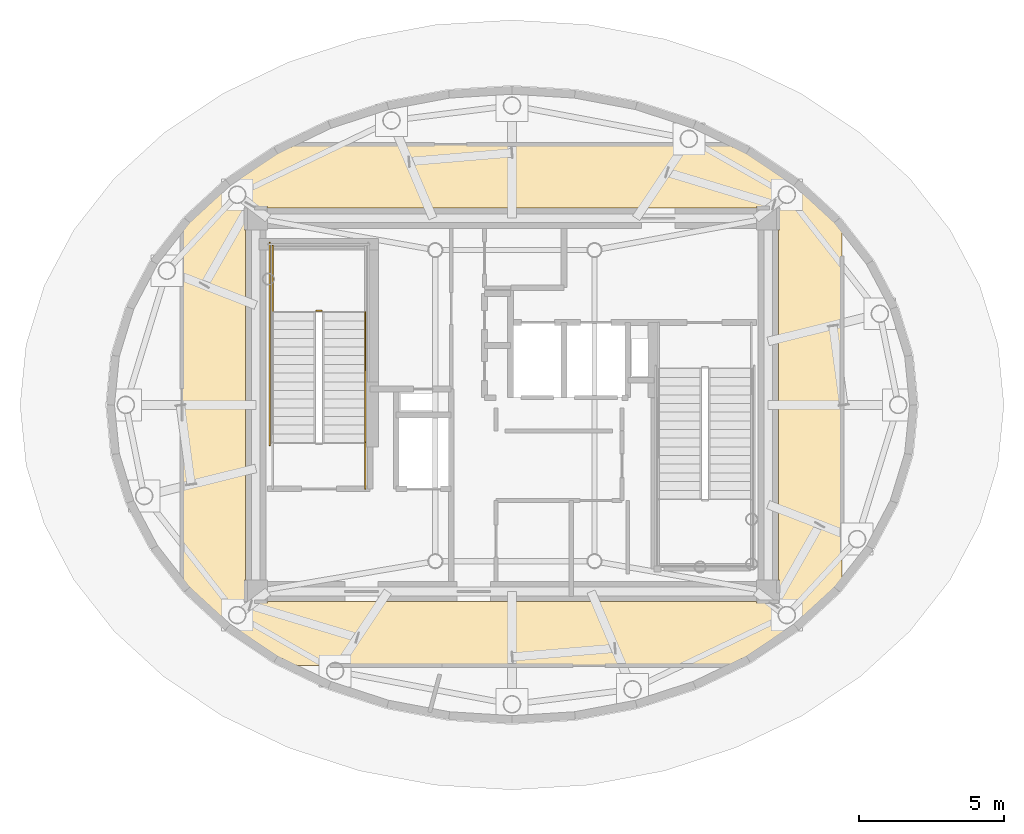
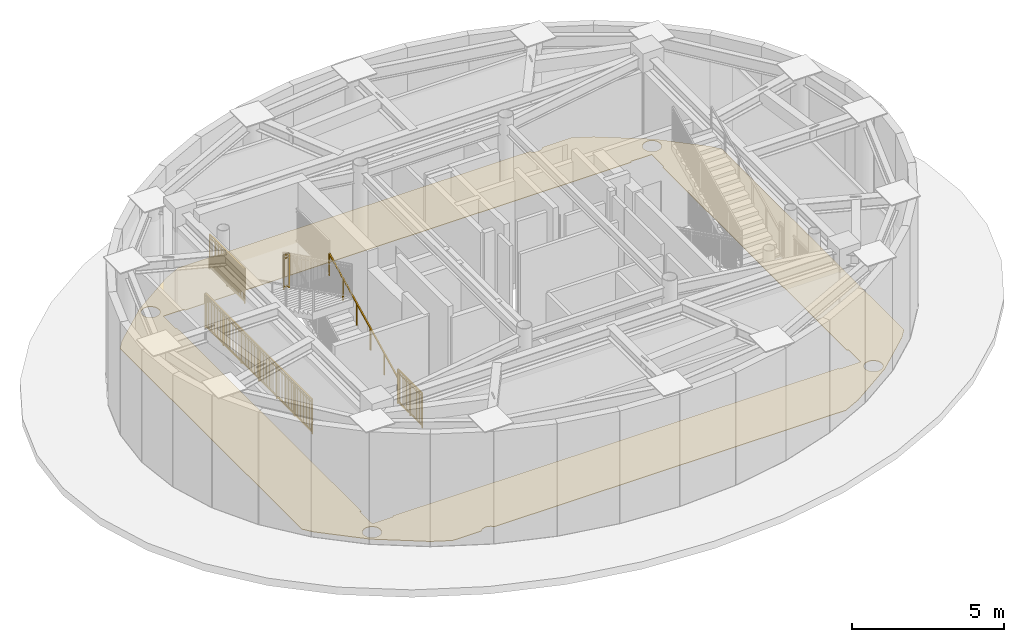
# One storey, part 7 of 12: 5 railings, 1 covering.
"""IFC4 building model written with IfcOpenShell, lengths in metres."""

from ifc_helpers import new_model, si_unit, direction, frame, origin, origin_2d, place, context, subcontext, project, spatial, polyline, rectangle, outline, extrude, source, transform, mapped, material, layer, layer_set, type_object, element, save


model = new_model("IFC4")

# Units and contexts
model_context = context("Model", 3, precision=1e-05, world=origin(), true_north=direction((0.0, 1.0)))
body_context = subcontext(model_context, "Body", "Model", "MODEL_VIEW")
ifc_project = project(units=[si_unit("LENGTHUNIT", "METRE"), si_unit("AREAUNIT", "SQUARE_METRE"), si_unit("VOLUMEUNIT", "CUBIC_METRE"), si_unit("PLANEANGLEUNIT", "RADIAN"), si_unit("MASSUNIT", "GRAM", prefix="KILO")], contexts=[model_context])

# Site, building, storey
site_placement = place(None, origin())
site = spatial("IfcSite", under=ifc_project, at=site_placement, CompositionType="ELEMENT")
building_placement = place(site_placement, origin())
building = spatial("IfcBuilding", under=site, at=building_placement, Name="Linh Dai School and Residence Tower", CompositionType="ELEMENT")
storey_placement = place(building_placement, frame((0.0, 0.0, 368.39990234375)))
storey = spatial("IfcBuildingStorey", under=building, at=storey_placement, Name="L91", CompositionType="ELEMENT", Elevation=368.39990234375)

# Covering
ifc_material_1 = material(Name="Polished Terrazzo Floor Finish", Category="masonry")
ifc_layer = layer(ifc_material_1, 0.02490234375)
ifc_layer_set = layer_set([ifc_layer], Name="Polished Terrazzo Floor Finish")
covering_type = type_object("IfcCoveringType", Name="COV-FLR-TRZ-25", PredefinedType="FLOORING", material=ifc_layer_set)
covering_placement = place(storey_placement, origin())
element("IfcCovering", 1, at=covering_placement, inside=storey, type_object=covering_type, Name="L91 Crown Plant Ring Corridor Floor Finish", PredefinedType="FLOORING", context=body_context, shape_type="SweptSolid", body=[
    extrude(outline(polyline([(27.89501953125, 18.31787109375), (26.2548828125, 19.41845703125), (24.857421875, 20.7041015625), (24.60009765625, 21.033935546875), (24.60009765625, 32.966064453125), (24.857421875, 33.2958984375), (26.2548828125, 34.58154296875), (27.89501953125, 35.68212890625), (28.555419921875, 36.0), (41.864501953125, 36.0), (41.88818359375, 35.96875), (41.953857421875, 35.91845703125), (42.030517578125, 35.88671875), (42.1123046875, 35.8759765625), (42.194580078125, 35.88671875), (42.27099609375, 35.91845703125), (42.336669921875, 35.96875), (42.360595703125, 36.0), (43.444580078125, 36.0), (44.10498046875, 35.68212890625), (45.7451171875, 34.58154296875), (47.142578125, 33.2958984375), (47.39990234375, 32.966064453125), (47.39990234375, 21.033935546875), (47.142578125, 20.7041015625), (45.7451171875, 19.41845703125), (44.10498046875, 18.31787109375), (43.444580078125, 18.0), (30.135498046875, 18.0), (30.11181640625, 18.03125), (30.046142578125, 18.08154296875), (29.969482421875, 18.11328125), (29.8876953125, 18.1240234375), (29.805419921875, 18.11328125), (29.72900390625, 18.08154296875), (29.663330078125, 18.03125), (29.639404296875, 18.0), (28.555419921875, 18.0), (27.89501953125, 18.31787109375)]), holes=[polyline([(45.6533203125, 33.988525390625), (45.718994140625, 34.0390625), (45.769287109375, 34.1044921875), (45.801025390625, 34.18115234375), (45.811767578125, 34.26318359375), (45.801025390625, 34.34521484375), (45.769287109375, 34.421630859375), (45.718994140625, 34.4873046875), (45.6533203125, 34.53759765625), (45.576904296875, 34.5693359375), (45.494873046875, 34.580078125), (45.412841796875, 34.5693359375), (45.336181640625, 34.53759765625), (45.270751953125, 34.4873046875), (45.22021484375, 34.421630859375), (45.188720703125, 34.34521484375), (45.177734375, 34.26318359375), (45.188720703125, 34.18115234375), (45.22021484375, 34.1044921875), (45.270751953125, 34.0390625), (45.336181640625, 33.988525390625), (45.412841796875, 33.956787109375), (45.494873046875, 33.946044921875), (45.576904296875, 33.956787109375), (45.6533203125, 33.988525390625)]), polyline([(45.718994140625, 19.5126953125), (45.769287109375, 19.578369140625), (45.801025390625, 19.65478515625), (45.811767578125, 19.73681640625), (45.801025390625, 19.81884765625), (45.769287109375, 19.8955078125), (45.718994140625, 19.9609375), (45.6533203125, 20.011474609375), (45.576904296875, 20.043212890625), (45.494873046875, 20.053955078125), (45.412841796875, 20.043212890625), (45.336181640625, 20.011474609375), (45.270751953125, 19.9609375), (45.22021484375, 19.8955078125), (45.188720703125, 19.81884765625), (45.177734375, 19.73681640625), (45.188720703125, 19.65478515625), (45.22021484375, 19.578369140625), (45.270751953125, 19.5126953125), (45.336181640625, 19.46240234375), (45.412841796875, 19.4306640625), (45.494873046875, 19.419921875), (45.576904296875, 19.4306640625), (45.6533203125, 19.46240234375), (45.718994140625, 19.5126953125)]), polyline([(26.800048828125, 20.949951171875), (26.75, 20.949951171875), (26.75, 20.14990234375), (27.550048828125, 20.14990234375), (27.550048828125, 20.199951171875), (44.449951171875, 20.199951171875), (44.449951171875, 20.14990234375), (45.25, 20.14990234375), (45.25, 20.949951171875), (45.199951171875, 20.949951171875), (45.199951171875, 33.050048828125), (45.25, 33.050048828125), (45.25, 33.85009765625), (44.449951171875, 33.85009765625), (44.449951171875, 33.800048828125), (27.550048828125, 33.800048828125), (27.550048828125, 33.85009765625), (26.75, 33.85009765625), (26.75, 33.050048828125), (26.800048828125, 33.050048828125), (26.800048828125, 20.949951171875)]), polyline([(26.663818359375, 33.988525390625), (26.729248046875, 34.0390625), (26.77978515625, 34.1044921875), (26.811279296875, 34.18115234375), (26.822265625, 34.26318359375), (26.811279296875, 34.34521484375), (26.77978515625, 34.421630859375), (26.729248046875, 34.4873046875), (26.663818359375, 34.53759765625), (26.587158203125, 34.5693359375), (26.505126953125, 34.580078125), (26.423095703125, 34.5693359375), (26.3466796875, 34.53759765625), (26.281005859375, 34.4873046875), (26.230712890625, 34.421630859375), (26.198974609375, 34.34521484375), (26.188232421875, 34.26318359375), (26.198974609375, 34.18115234375), (26.230712890625, 34.1044921875), (26.281005859375, 34.0390625), (26.3466796875, 33.988525390625), (26.423095703125, 33.956787109375), (26.505126953125, 33.946044921875), (26.587158203125, 33.956787109375), (26.663818359375, 33.988525390625)]), polyline([(26.729248046875, 19.5126953125), (26.77978515625, 19.578369140625), (26.811279296875, 19.65478515625), (26.822265625, 19.73681640625), (26.811279296875, 19.81884765625), (26.77978515625, 19.8955078125), (26.729248046875, 19.9609375), (26.663818359375, 20.011474609375), (26.587158203125, 20.043212890625), (26.505126953125, 20.053955078125), (26.423095703125, 20.043212890625), (26.3466796875, 20.011474609375), (26.281005859375, 19.9609375), (26.230712890625, 19.8955078125), (26.198974609375, 19.81884765625), (26.188232421875, 19.73681640625), (26.198974609375, 19.65478515625), (26.230712890625, 19.578369140625), (26.281005859375, 19.5126953125), (26.3466796875, 19.46240234375), (26.423095703125, 19.4306640625), (26.505126953125, 19.419921875), (26.587158203125, 19.4306640625), (26.663818359375, 19.46240234375), (26.729248046875, 19.5126953125)])]), origin(), (0.0, 0.0, 1.0), 0.02001953125),
])

# Railings
ifc_material_2 = material(Name="Structural Steel S355JR", Category="steel")
railing_type_1 = type_object("IfcRailingType", Name="RL-ST-GUARD-1400", PredefinedType="GUARDRAIL", material=ifc_material_2)
shared_shape_1 = source(origin(), body_context, "Body", "SweptSolid", [
    extrude(rectangle(XDim=0.048095703125, YDim=0.048095703125, at=origin_2d()), frame((0.0, 0.0, 1.3759765625), z_axis=(-1.0, 0.0, 0.0), x_axis=(0.0, -1.0, 0.0)), (0.0, 0.0, 1.0), 0.199951171875),
    extrude(rectangle(XDim=0.048095703125, YDim=0.048095703125, at=origin_2d()), frame((0.0, 0.0, 0.10009765625), z_axis=(-1.0, 0.0, 0.0), x_axis=(0.0, -1.0, 0.0)), (0.0, 0.0, 1.0), 0.199951171875),
    extrude(rectangle(XDim=0.030029296875, YDim=0.030029296875, at=origin_2d()), frame((0.0, 0.0, 1.239990234375), z_axis=(-1.0, 0.0, 0.0), x_axis=(0.0, -1.0, 0.0)), (0.0, 0.0, 1.0), 0.199951171875),
    extrude(rectangle(XDim=0.0419921875, YDim=0.0419921875, at=origin_2d()), origin(), (0.0, 0.0, 1.0), 1.3759765625),
    extrude(rectangle(XDim=0.0419921875, YDim=0.0419921875, at=origin_2d()), frame((-0.199951171875, 0.0, 0.0)), (0.0, 0.0, 1.0), 1.3759765625),
])
railing_1_placement = place(storey_placement, frame((29.429931640625, 30.25, 2.400146484375)))
element("IfcRailing", 2, at=railing_1_placement, inside=storey, type_object=railing_type_1, Name="L91 ST1 stair guard 2", PredefinedType="GUARDRAIL", context=body_context, shape_type="MappedRepresentation", body=[
    mapped(shared_shape_1, transform((0.0, 0.0, 0.0), x_axis=(1.0, 0.0, 0.0), y_axis=(0.0, 1.0, 0.0), z_axis=(0.0, 0.0, 1.0), scale=1.0)),
])
shared_shape_2 = source(origin(), body_context, "Body", "SweptSolid", [
    extrude(rectangle(XDim=0.048095703125, YDim=0.048095703125, at=origin_2d()), frame((0.0, 0.0, 1.3759765625), z_axis=(0.0, 1.0, 0.0), x_axis=(-1.0, 0.0, 0.0)), (0.0, 0.0, 1.0), 1.599853515625),
    extrude(rectangle(XDim=0.048095703125, YDim=0.048095703125, at=origin_2d()), frame((0.0, 0.0, 0.10009765625), z_axis=(0.0, 1.0, 0.0), x_axis=(-1.0, 0.0, 0.0)), (0.0, 0.0, 1.0), 1.599853515625),
    extrude(rectangle(XDim=0.030029296875, YDim=0.030029296875, at=origin_2d()), frame((0.0, 0.0, 1.239990234375), z_axis=(0.0, 1.0, 0.0), x_axis=(-1.0, 0.0, 0.0)), (0.0, 0.0, 1.0), 1.599853515625),
    extrude(rectangle(XDim=0.02001953125, YDim=0.02001953125, at=origin_2d()), frame((0.0, 0.093994140625, 0.10009765625)), (0.0, 0.0, 1.0), 1.251708984375),
    extrude(rectangle(XDim=0.02001953125, YDim=0.02001953125, at=origin_2d()), frame((0.0, 0.188232421875, 0.10009765625)), (0.0, 0.0, 1.0), 1.251708984375),
    extrude(rectangle(XDim=0.02001953125, YDim=0.02001953125, at=origin_2d()), frame((0.0, 0.2822265625, 0.10009765625)), (0.0, 0.0, 1.0), 1.251708984375),
    extrude(rectangle(XDim=0.02001953125, YDim=0.02001953125, at=origin_2d()), frame((0.0, 0.37646484375, 0.10009765625)), (0.0, 0.0, 1.0), 1.251708984375),
    extrude(rectangle(XDim=0.02001953125, YDim=0.02001953125, at=origin_2d()), frame((0.0, 0.470458984375, 0.10009765625)), (0.0, 0.0, 1.0), 1.251708984375),
    extrude(rectangle(XDim=0.02001953125, YDim=0.02001953125, at=origin_2d()), frame((0.0, 0.564697265625, 0.10009765625)), (0.0, 0.0, 1.0), 1.251708984375),
    extrude(rectangle(XDim=0.02001953125, YDim=0.02001953125, at=origin_2d()), frame((0.0, 0.65869140625, 0.10009765625)), (0.0, 0.0, 1.0), 1.251708984375),
    extrude(rectangle(XDim=0.02001953125, YDim=0.02001953125, at=origin_2d()), frame((0.0, 0.7529296875, 0.10009765625)), (0.0, 0.0, 1.0), 1.251708984375),
    extrude(rectangle(XDim=0.02001953125, YDim=0.02001953125, at=origin_2d()), frame((0.0, 0.846923828125, 0.10009765625)), (0.0, 0.0, 1.0), 1.251708984375),
    extrude(rectangle(XDim=0.02001953125, YDim=0.02001953125, at=origin_2d()), frame((0.0, 0.941162109375, 0.10009765625)), (0.0, 0.0, 1.0), 1.251708984375),
    extrude(rectangle(XDim=0.02001953125, YDim=0.02001953125, at=origin_2d()), frame((0.0, 1.03515625, 0.10009765625)), (0.0, 0.0, 1.0), 1.251708984375),
    extrude(rectangle(XDim=0.02001953125, YDim=0.02001953125, at=origin_2d()), frame((0.0, 1.12939453125, 0.10009765625)), (0.0, 0.0, 1.0), 1.251708984375),
    extrude(rectangle(XDim=0.02001953125, YDim=0.02001953125, at=origin_2d()), frame((0.0, 1.223388671875, 0.10009765625)), (0.0, 0.0, 1.0), 1.251708984375),
    extrude(rectangle(XDim=0.02001953125, YDim=0.02001953125, at=origin_2d()), frame((0.0, 1.317626953125, 0.10009765625)), (0.0, 0.0, 1.0), 1.251708984375),
    extrude(rectangle(XDim=0.02001953125, YDim=0.02001953125, at=origin_2d()), frame((0.0, 1.41162109375, 0.10009765625)), (0.0, 0.0, 1.0), 1.251708984375),
    extrude(rectangle(XDim=0.02001953125, YDim=0.02001953125, at=origin_2d()), frame((0.0, 1.505859375, 0.10009765625)), (0.0, 0.0, 1.0), 1.251708984375),
    extrude(rectangle(XDim=0.0419921875, YDim=0.0419921875, at=origin_2d()), origin(), (0.0, 0.0, 1.0), 1.3759765625),
    extrude(rectangle(XDim=0.0419921875, YDim=0.0419921875, at=origin_2d()), frame((0.0, 0.7998046875, 0.0)), (0.0, 0.0, 1.0), 1.3759765625),
    extrude(rectangle(XDim=0.0419921875, YDim=0.0419921875, at=origin_2d()), frame((0.0, 1.599853515625, 0.0)), (0.0, 0.0, 1.0), 1.3759765625),
])
railing_2_placement = place(storey_placement, frame((30.929931640625, 24.10009765625, 0.0)))
element("IfcRailing", 3, at=railing_2_placement, inside=storey, type_object=railing_type_1, Name="L91 ST1 stair guard 8", PredefinedType="GUARDRAIL", context=body_context, shape_type="MappedRepresentation", body=[
    mapped(shared_shape_2, transform((0.0, 0.0, 0.0), x_axis=(1.0, 0.0, 0.0), y_axis=(0.0, 1.0, 0.0), z_axis=(0.0, 0.0, 1.0), scale=1.0)),
])
shared_shape_3 = source(origin(), body_context, "Body", "SweptSolid", [
    extrude(rectangle(XDim=0.048095703125, YDim=0.048095703125, at=origin_2d()), frame((0.0, 0.0, 1.3759765625), z_axis=(0.0, 1.0, 0.0), x_axis=(-1.0, 0.0, 0.0)), (0.0, 0.0, 1.0), 7.0),
    extrude(rectangle(XDim=0.048095703125, YDim=0.048095703125, at=origin_2d()), frame((0.0, 0.0, 0.10009765625), z_axis=(0.0, 1.0, 0.0), x_axis=(-1.0, 0.0, 0.0)), (0.0, 0.0, 1.0), 7.0),
    extrude(rectangle(XDim=0.030029296875, YDim=0.030029296875, at=origin_2d()), frame((0.0, 0.0, 1.239990234375), z_axis=(0.0, 1.0, 0.0), x_axis=(-1.0, 0.0, 0.0)), (0.0, 0.0, 1.0), 7.0),
    extrude(rectangle(XDim=0.02001953125, YDim=0.02001953125, at=origin_2d()), frame((0.0, 0.09716796875, 0.10009765625)), (0.0, 0.0, 1.0), 1.251708984375),
    extrude(rectangle(XDim=0.02001953125, YDim=0.02001953125, at=origin_2d()), frame((0.0, 0.1943359375, 0.10009765625)), (0.0, 0.0, 1.0), 1.251708984375),
    extrude(rectangle(XDim=0.02001953125, YDim=0.02001953125, at=origin_2d()), frame((0.0, 0.291748046875, 0.10009765625)), (0.0, 0.0, 1.0), 1.251708984375),
    extrude(rectangle(XDim=0.02001953125, YDim=0.02001953125, at=origin_2d()), frame((0.0, 0.388916015625, 0.10009765625)), (0.0, 0.0, 1.0), 1.251708984375),
    extrude(rectangle(XDim=0.02001953125, YDim=0.02001953125, at=origin_2d()), frame((0.0, 0.486083984375, 0.10009765625)), (0.0, 0.0, 1.0), 1.251708984375),
    extrude(rectangle(XDim=0.02001953125, YDim=0.02001953125, at=origin_2d()), frame((0.0, 0.583251953125, 0.10009765625)), (0.0, 0.0, 1.0), 1.251708984375),
    extrude(rectangle(XDim=0.02001953125, YDim=0.02001953125, at=origin_2d()), frame((0.0, 0.6806640625, 0.10009765625)), (0.0, 0.0, 1.0), 1.251708984375),
    extrude(rectangle(XDim=0.02001953125, YDim=0.02001953125, at=origin_2d()), frame((0.0, 0.77783203125, 0.10009765625)), (0.0, 0.0, 1.0), 1.251708984375),
    extrude(rectangle(XDim=0.02001953125, YDim=0.02001953125, at=origin_2d()), frame((0.0, 0.875, 0.10009765625)), (0.0, 0.0, 1.0), 1.251708984375),
    extrude(rectangle(XDim=0.02001953125, YDim=0.02001953125, at=origin_2d()), frame((0.0, 0.97216796875, 0.10009765625)), (0.0, 0.0, 1.0), 1.251708984375),
    extrude(rectangle(XDim=0.02001953125, YDim=0.02001953125, at=origin_2d()), frame((0.0, 1.0693359375, 0.10009765625)), (0.0, 0.0, 1.0), 1.251708984375),
    extrude(rectangle(XDim=0.02001953125, YDim=0.02001953125, at=origin_2d()), frame((0.0, 1.263916015625, 0.10009765625)), (0.0, 0.0, 1.0), 1.251708984375),
    extrude(rectangle(XDim=0.02001953125, YDim=0.02001953125, at=origin_2d()), frame((0.0, 1.361083984375, 0.10009765625)), (0.0, 0.0, 1.0), 1.251708984375),
    extrude(rectangle(XDim=0.02001953125, YDim=0.02001953125, at=origin_2d()), frame((0.0, 1.458251953125, 0.10009765625)), (0.0, 0.0, 1.0), 1.251708984375),
    extrude(rectangle(XDim=0.02001953125, YDim=0.02001953125, at=origin_2d()), frame((0.0, 1.5556640625, 0.10009765625)), (0.0, 0.0, 1.0), 1.251708984375),
    extrude(rectangle(XDim=0.02001953125, YDim=0.02001953125, at=origin_2d()), frame((0.0, 1.65283203125, 0.10009765625)), (0.0, 0.0, 1.0), 1.251708984375),
    extrude(rectangle(XDim=0.02001953125, YDim=0.02001953125, at=origin_2d()), frame((0.0, 1.75, 0.10009765625)), (0.0, 0.0, 1.0), 1.251708984375),
    extrude(rectangle(XDim=0.02001953125, YDim=0.02001953125, at=origin_2d()), frame((0.0, 1.84716796875, 0.10009765625)), (0.0, 0.0, 1.0), 1.251708984375),
    extrude(rectangle(XDim=0.02001953125, YDim=0.02001953125, at=origin_2d()), frame((0.0, 1.9443359375, 0.10009765625)), (0.0, 0.0, 1.0), 1.251708984375),
    extrude(rectangle(XDim=0.02001953125, YDim=0.02001953125, at=origin_2d()), frame((0.0, 2.041748046875, 0.10009765625)), (0.0, 0.0, 1.0), 1.251708984375),
    extrude(rectangle(XDim=0.02001953125, YDim=0.02001953125, at=origin_2d()), frame((0.0, 2.138916015625, 0.10009765625)), (0.0, 0.0, 1.0), 1.251708984375),
    extrude(rectangle(XDim=0.02001953125, YDim=0.02001953125, at=origin_2d()), frame((0.0, 2.236083984375, 0.10009765625)), (0.0, 0.0, 1.0), 1.251708984375),
    extrude(rectangle(XDim=0.02001953125, YDim=0.02001953125, at=origin_2d()), frame((0.0, 2.4306640625, 0.10009765625)), (0.0, 0.0, 1.0), 1.251708984375),
    extrude(rectangle(XDim=0.02001953125, YDim=0.02001953125, at=origin_2d()), frame((0.0, 2.52783203125, 0.10009765625)), (0.0, 0.0, 1.0), 1.251708984375),
    extrude(rectangle(XDim=0.02001953125, YDim=0.02001953125, at=origin_2d()), frame((0.0, 2.625, 0.10009765625)), (0.0, 0.0, 1.0), 1.251708984375),
    extrude(rectangle(XDim=0.02001953125, YDim=0.02001953125, at=origin_2d()), frame((0.0, 2.72216796875, 0.10009765625)), (0.0, 0.0, 1.0), 1.251708984375),
    extrude(rectangle(XDim=0.02001953125, YDim=0.02001953125, at=origin_2d()), frame((0.0, 2.8193359375, 0.10009765625)), (0.0, 0.0, 1.0), 1.251708984375),
    extrude(rectangle(XDim=0.02001953125, YDim=0.02001953125, at=origin_2d()), frame((0.0, 2.916748046875, 0.10009765625)), (0.0, 0.0, 1.0), 1.251708984375),
    extrude(rectangle(XDim=0.02001953125, YDim=0.02001953125, at=origin_2d()), frame((0.0, 3.013916015625, 0.10009765625)), (0.0, 0.0, 1.0), 1.251708984375),
    extrude(rectangle(XDim=0.02001953125, YDim=0.02001953125, at=origin_2d()), frame((0.0, 3.111083984375, 0.10009765625)), (0.0, 0.0, 1.0), 1.251708984375),
    extrude(rectangle(XDim=0.02001953125, YDim=0.02001953125, at=origin_2d()), frame((0.0, 3.208251953125, 0.10009765625)), (0.0, 0.0, 1.0), 1.251708984375),
    extrude(rectangle(XDim=0.02001953125, YDim=0.02001953125, at=origin_2d()), frame((0.0, 3.3056640625, 0.10009765625)), (0.0, 0.0, 1.0), 1.251708984375),
    extrude(rectangle(XDim=0.02001953125, YDim=0.02001953125, at=origin_2d()), frame((0.0, 3.40283203125, 0.10009765625)), (0.0, 0.0, 1.0), 1.251708984375),
    extrude(rectangle(XDim=0.02001953125, YDim=0.02001953125, at=origin_2d()), frame((0.0, 3.59716796875, 0.10009765625)), (0.0, 0.0, 1.0), 1.251708984375),
    extrude(rectangle(XDim=0.02001953125, YDim=0.02001953125, at=origin_2d()), frame((0.0, 3.6943359375, 0.10009765625)), (0.0, 0.0, 1.0), 1.251708984375),
    extrude(rectangle(XDim=0.02001953125, YDim=0.02001953125, at=origin_2d()), frame((0.0, 3.791748046875, 0.10009765625)), (0.0, 0.0, 1.0), 1.251708984375),
    extrude(rectangle(XDim=0.02001953125, YDim=0.02001953125, at=origin_2d()), frame((0.0, 3.888916015625, 0.10009765625)), (0.0, 0.0, 1.0), 1.251708984375),
    extrude(rectangle(XDim=0.02001953125, YDim=0.02001953125, at=origin_2d()), frame((0.0, 3.986083984375, 0.10009765625)), (0.0, 0.0, 1.0), 1.251708984375),
    extrude(rectangle(XDim=0.02001953125, YDim=0.02001953125, at=origin_2d()), frame((0.0, 4.083251953125, 0.10009765625)), (0.0, 0.0, 1.0), 1.251708984375),
    extrude(rectangle(XDim=0.02001953125, YDim=0.02001953125, at=origin_2d()), frame((0.0, 4.1806640625, 0.10009765625)), (0.0, 0.0, 1.0), 1.251708984375),
    extrude(rectangle(XDim=0.02001953125, YDim=0.02001953125, at=origin_2d()), frame((0.0, 4.27783203125, 0.10009765625)), (0.0, 0.0, 1.0), 1.251708984375),
    extrude(rectangle(XDim=0.02001953125, YDim=0.02001953125, at=origin_2d()), frame((0.0, 4.375, 0.10009765625)), (0.0, 0.0, 1.0), 1.251708984375),
    extrude(rectangle(XDim=0.02001953125, YDim=0.02001953125, at=origin_2d()), frame((0.0, 4.47216796875, 0.10009765625)), (0.0, 0.0, 1.0), 1.251708984375),
    extrude(rectangle(XDim=0.02001953125, YDim=0.02001953125, at=origin_2d()), frame((0.0, 4.5693359375, 0.10009765625)), (0.0, 0.0, 1.0), 1.251708984375),
    extrude(rectangle(XDim=0.02001953125, YDim=0.02001953125, at=origin_2d()), frame((0.0, 4.763916015625, 0.10009765625)), (0.0, 0.0, 1.0), 1.251708984375),
    extrude(rectangle(XDim=0.02001953125, YDim=0.02001953125, at=origin_2d()), frame((0.0, 4.861083984375, 0.10009765625)), (0.0, 0.0, 1.0), 1.251708984375),
    extrude(rectangle(XDim=0.02001953125, YDim=0.02001953125, at=origin_2d()), frame((0.0, 4.958251953125, 0.10009765625)), (0.0, 0.0, 1.0), 1.251708984375),
    extrude(rectangle(XDim=0.02001953125, YDim=0.02001953125, at=origin_2d()), frame((0.0, 5.0556640625, 0.10009765625)), (0.0, 0.0, 1.0), 1.251708984375),
    extrude(rectangle(XDim=0.02001953125, YDim=0.02001953125, at=origin_2d()), frame((0.0, 5.15283203125, 0.10009765625)), (0.0, 0.0, 1.0), 1.251708984375),
    extrude(rectangle(XDim=0.02001953125, YDim=0.02001953125, at=origin_2d()), frame((0.0, 5.25, 0.10009765625)), (0.0, 0.0, 1.0), 1.251708984375),
    extrude(rectangle(XDim=0.02001953125, YDim=0.02001953125, at=origin_2d()), frame((0.0, 5.34716796875, 0.10009765625)), (0.0, 0.0, 1.0), 1.251708984375),
    extrude(rectangle(XDim=0.02001953125, YDim=0.02001953125, at=origin_2d()), frame((0.0, 5.4443359375, 0.10009765625)), (0.0, 0.0, 1.0), 1.251708984375),
    extrude(rectangle(XDim=0.02001953125, YDim=0.02001953125, at=origin_2d()), frame((0.0, 5.541748046875, 0.10009765625)), (0.0, 0.0, 1.0), 1.251708984375),
    extrude(rectangle(XDim=0.02001953125, YDim=0.02001953125, at=origin_2d()), frame((0.0, 5.638916015625, 0.10009765625)), (0.0, 0.0, 1.0), 1.251708984375),
    extrude(rectangle(XDim=0.02001953125, YDim=0.02001953125, at=origin_2d()), frame((0.0, 5.736083984375, 0.10009765625)), (0.0, 0.0, 1.0), 1.251708984375),
    extrude(rectangle(XDim=0.02001953125, YDim=0.02001953125, at=origin_2d()), frame((0.0, 5.9306640625, 0.10009765625)), (0.0, 0.0, 1.0), 1.251708984375),
    extrude(rectangle(XDim=0.02001953125, YDim=0.02001953125, at=origin_2d()), frame((0.0, 6.02783203125, 0.10009765625)), (0.0, 0.0, 1.0), 1.251708984375),
    extrude(rectangle(XDim=0.02001953125, YDim=0.02001953125, at=origin_2d()), frame((0.0, 6.125, 0.10009765625)), (0.0, 0.0, 1.0), 1.251708984375),
    extrude(rectangle(XDim=0.02001953125, YDim=0.02001953125, at=origin_2d()), frame((0.0, 6.22216796875, 0.10009765625)), (0.0, 0.0, 1.0), 1.251708984375),
    extrude(rectangle(XDim=0.02001953125, YDim=0.02001953125, at=origin_2d()), frame((0.0, 6.3193359375, 0.10009765625)), (0.0, 0.0, 1.0), 1.251708984375),
    extrude(rectangle(XDim=0.02001953125, YDim=0.02001953125, at=origin_2d()), frame((0.0, 6.416748046875, 0.10009765625)), (0.0, 0.0, 1.0), 1.251708984375),
    extrude(rectangle(XDim=0.02001953125, YDim=0.02001953125, at=origin_2d()), frame((0.0, 6.513916015625, 0.10009765625)), (0.0, 0.0, 1.0), 1.251708984375),
    extrude(rectangle(XDim=0.02001953125, YDim=0.02001953125, at=origin_2d()), frame((0.0, 6.611083984375, 0.10009765625)), (0.0, 0.0, 1.0), 1.251708984375),
    extrude(rectangle(XDim=0.02001953125, YDim=0.02001953125, at=origin_2d()), frame((0.0, 6.708251953125, 0.10009765625)), (0.0, 0.0, 1.0), 1.251708984375),
    extrude(rectangle(XDim=0.02001953125, YDim=0.02001953125, at=origin_2d()), frame((0.0, 6.8056640625, 0.10009765625)), (0.0, 0.0, 1.0), 1.251708984375),
    extrude(rectangle(XDim=0.02001953125, YDim=0.02001953125, at=origin_2d()), frame((0.0, 6.90283203125, 0.10009765625)), (0.0, 0.0, 1.0), 1.251708984375),
    extrude(rectangle(XDim=0.0419921875, YDim=0.0419921875, at=origin_2d()), origin(), (0.0, 0.0, 1.0), 1.3759765625),
    extrude(rectangle(XDim=0.0419921875, YDim=0.0419921875, at=origin_2d()), frame((0.0, 1.166748046875, 0.0)), (0.0, 0.0, 1.0), 1.3759765625),
    extrude(rectangle(XDim=0.0419921875, YDim=0.0419921875, at=origin_2d()), frame((0.0, 2.333251953125, 0.0)), (0.0, 0.0, 1.0), 1.3759765625),
    extrude(rectangle(XDim=0.0419921875, YDim=0.0419921875, at=origin_2d()), frame((0.0, 3.5, 0.0)), (0.0, 0.0, 1.0), 1.3759765625),
    extrude(rectangle(XDim=0.0419921875, YDim=0.0419921875, at=origin_2d()), frame((0.0, 4.666748046875, 0.0)), (0.0, 0.0, 1.0), 1.3759765625),
    extrude(rectangle(XDim=0.0419921875, YDim=0.0419921875, at=origin_2d()), frame((0.0, 5.833251953125, 0.0)), (0.0, 0.0, 1.0), 1.3759765625),
    extrude(rectangle(XDim=0.0419921875, YDim=0.0419921875, at=origin_2d()), frame((0.0, 7.0, 0.0)), (0.0, 0.0, 1.0), 1.3759765625),
])
railing_3_placement = place(storey_placement, frame((27.6298828125, 25.60009765625, 0.0)))
element("IfcRailing", 4, at=railing_3_placement, inside=storey, type_object=railing_type_1, Name="L91 ST1 stair guard 11", PredefinedType="GUARDRAIL", context=body_context, shape_type="MappedRepresentation", body=[
    mapped(shared_shape_3, transform((0.0, 0.0, 0.0), x_axis=(1.0, 0.0, 0.0), y_axis=(0.0, 1.0, 0.0), z_axis=(0.0, 0.0, 1.0), scale=1.0)),
])
shared_shape_4 = source(origin(), body_context, "Body", "SweptSolid", [
    extrude(rectangle(XDim=0.048095703125, YDim=0.048095703125, at=origin_2d()), frame((0.0, 0.0, 1.3759765625), z_axis=(0.0, 1.0, 0.0), x_axis=(-1.0, 0.0, 0.0)), (0.0, 0.0, 1.0), 2.300048828125),
    extrude(rectangle(XDim=0.048095703125, YDim=0.048095703125, at=origin_2d()), frame((0.0, 0.0, 0.10009765625), z_axis=(0.0, 1.0, 0.0), x_axis=(-1.0, 0.0, 0.0)), (0.0, 0.0, 1.0), 2.300048828125),
    extrude(rectangle(XDim=0.030029296875, YDim=0.030029296875, at=origin_2d()), frame((0.0, 0.0, 1.239990234375), z_axis=(0.0, 1.0, 0.0), x_axis=(-1.0, 0.0, 0.0)), (0.0, 0.0, 1.0), 2.300048828125),
    extrude(rectangle(XDim=0.02001953125, YDim=0.02001953125, at=origin_2d()), frame((0.0, 0.095947265625, 0.10009765625)), (0.0, 0.0, 1.0), 1.251708984375),
    extrude(rectangle(XDim=0.02001953125, YDim=0.02001953125, at=origin_2d()), frame((0.0, 0.191650390625, 0.10009765625)), (0.0, 0.0, 1.0), 1.251708984375),
    extrude(rectangle(XDim=0.02001953125, YDim=0.02001953125, at=origin_2d()), frame((0.0, 0.28759765625, 0.10009765625)), (0.0, 0.0, 1.0), 1.251708984375),
    extrude(rectangle(XDim=0.02001953125, YDim=0.02001953125, at=origin_2d()), frame((0.0, 0.38330078125, 0.10009765625)), (0.0, 0.0, 1.0), 1.251708984375),
    extrude(rectangle(XDim=0.02001953125, YDim=0.02001953125, at=origin_2d()), frame((0.0, 0.479248046875, 0.10009765625)), (0.0, 0.0, 1.0), 1.251708984375),
    extrude(rectangle(XDim=0.02001953125, YDim=0.02001953125, at=origin_2d()), frame((0.0, 0.574951171875, 0.10009765625)), (0.0, 0.0, 1.0), 1.251708984375),
    extrude(rectangle(XDim=0.02001953125, YDim=0.02001953125, at=origin_2d()), frame((0.0, 0.6708984375, 0.10009765625)), (0.0, 0.0, 1.0), 1.251708984375),
    extrude(rectangle(XDim=0.02001953125, YDim=0.02001953125, at=origin_2d()), frame((0.0, 0.7666015625, 0.10009765625)), (0.0, 0.0, 1.0), 1.251708984375),
    extrude(rectangle(XDim=0.02001953125, YDim=0.02001953125, at=origin_2d()), frame((0.0, 0.862548828125, 0.10009765625)), (0.0, 0.0, 1.0), 1.251708984375),
    extrude(rectangle(XDim=0.02001953125, YDim=0.02001953125, at=origin_2d()), frame((0.0, 0.958251953125, 0.10009765625)), (0.0, 0.0, 1.0), 1.251708984375),
    extrude(rectangle(XDim=0.02001953125, YDim=0.02001953125, at=origin_2d()), frame((0.0, 1.05419921875, 0.10009765625)), (0.0, 0.0, 1.0), 1.251708984375),
    extrude(rectangle(XDim=0.02001953125, YDim=0.02001953125, at=origin_2d()), frame((0.0, 1.245849609375, 0.10009765625)), (0.0, 0.0, 1.0), 1.251708984375),
    extrude(rectangle(XDim=0.02001953125, YDim=0.02001953125, at=origin_2d()), frame((0.0, 1.341796875, 0.10009765625)), (0.0, 0.0, 1.0), 1.251708984375),
    extrude(rectangle(XDim=0.02001953125, YDim=0.02001953125, at=origin_2d()), frame((0.0, 1.4375, 0.10009765625)), (0.0, 0.0, 1.0), 1.251708984375),
    extrude(rectangle(XDim=0.02001953125, YDim=0.02001953125, at=origin_2d()), frame((0.0, 1.533447265625, 0.10009765625)), (0.0, 0.0, 1.0), 1.251708984375),
    extrude(rectangle(XDim=0.02001953125, YDim=0.02001953125, at=origin_2d()), frame((0.0, 1.629150390625, 0.10009765625)), (0.0, 0.0, 1.0), 1.251708984375),
    extrude(rectangle(XDim=0.02001953125, YDim=0.02001953125, at=origin_2d()), frame((0.0, 1.72509765625, 0.10009765625)), (0.0, 0.0, 1.0), 1.251708984375),
    extrude(rectangle(XDim=0.02001953125, YDim=0.02001953125, at=origin_2d()), frame((0.0, 1.82080078125, 0.10009765625)), (0.0, 0.0, 1.0), 1.251708984375),
    extrude(rectangle(XDim=0.02001953125, YDim=0.02001953125, at=origin_2d()), frame((0.0, 1.916748046875, 0.10009765625)), (0.0, 0.0, 1.0), 1.251708984375),
    extrude(rectangle(XDim=0.02001953125, YDim=0.02001953125, at=origin_2d()), frame((0.0, 2.012451171875, 0.10009765625)), (0.0, 0.0, 1.0), 1.251708984375),
    extrude(rectangle(XDim=0.02001953125, YDim=0.02001953125, at=origin_2d()), frame((0.0, 2.1083984375, 0.10009765625)), (0.0, 0.0, 1.0), 1.251708984375),
    extrude(rectangle(XDim=0.02001953125, YDim=0.02001953125, at=origin_2d()), frame((0.0, 2.2041015625, 0.10009765625)), (0.0, 0.0, 1.0), 1.251708984375),
    extrude(rectangle(XDim=0.0419921875, YDim=0.0419921875, at=origin_2d()), origin(), (0.0, 0.0, 1.0), 1.3759765625),
    extrude(rectangle(XDim=0.0419921875, YDim=0.0419921875, at=origin_2d()), frame((0.0, 1.14990234375, 0.0)), (0.0, 0.0, 1.0), 1.3759765625),
    extrude(rectangle(XDim=0.0419921875, YDim=0.0419921875, at=origin_2d()), frame((0.0, 2.300048828125, 0.0)), (0.0, 0.0, 1.0), 1.3759765625),
])
railing_4_placement = place(storey_placement, frame((27.72998046875, 30.199951171875, 2.400146484375)))
element("IfcRailing", 5, at=railing_4_placement, inside=storey, type_object=railing_type_1, Name="L91 ST1 stair guard 4", PredefinedType="GUARDRAIL", context=body_context, shape_type="MappedRepresentation", body=[
    mapped(shared_shape_4, transform((0.0, 0.0, 0.0), x_axis=(1.0, 0.0, 0.0), y_axis=(0.0, 1.0, 0.0), z_axis=(0.0, 0.0, 1.0), scale=1.0)),
])
ifc_material_3 = material(Name="Brushed Stainless Steel Handrail", Category="steel")
railing_type_2 = type_object("IfcRailingType", Name="RL-ST-HANDRAIL-900", PredefinedType="HANDRAIL", material=ifc_material_3)
shared_shape_5 = source(origin(), body_context, "Body", "SweptSolid", [
    extrude(rectangle(XDim=0.048095703125, YDim=0.048095703125, at=origin_2d()), frame((0.0, 0.0, 0.8759765625), z_axis=(0.0, 0.894427191, 0.4472135955), x_axis=(-1.0, 0.0, 0.0)), (0.0, 0.0, 1.0), 5.03125),
    extrude(rectangle(XDim=0.0419921875, YDim=0.0419921875, at=origin_2d()), origin(), (0.0, 0.0, 1.0), 0.8759765625),
    extrude(rectangle(XDim=0.0419921875, YDim=0.0419921875, at=origin_2d()), frame((0.0, 0.89990234375, 0.449951171875)), (0.0, 0.0, 1.0), 0.8759765625),
    extrude(rectangle(XDim=0.0419921875, YDim=0.0419921875, at=origin_2d()), frame((0.0, 1.800048828125, 0.89990234375)), (0.0, 0.0, 1.0), 0.8759765625),
    extrude(rectangle(XDim=0.0419921875, YDim=0.0419921875, at=origin_2d()), frame((0.0, 2.699951171875, 1.35009765625)), (0.0, 0.0, 1.0), 0.8759765625),
    extrude(rectangle(XDim=0.0419921875, YDim=0.0419921875, at=origin_2d()), frame((0.0, 3.60009765625, 1.800048828125)), (0.0, 0.0, 1.0), 0.8759765625),
    extrude(rectangle(XDim=0.0419921875, YDim=0.0419921875, at=origin_2d()), frame((0.0, 4.5, 2.25)), (0.0, 0.0, 1.0), 0.8759765625),
])
railing_5_placement = place(storey_placement, frame((30.929931640625, 25.699951171875, 0.150146484375)))
element("IfcRailing", 6, at=railing_5_placement, inside=storey, type_object=railing_type_2, Name="L91 ST1 stair handrail 1", PredefinedType="HANDRAIL", context=body_context, shape_type="MappedRepresentation", body=[
    mapped(shared_shape_5, transform((0.0, 0.0, 0.0), x_axis=(1.0, 0.0, 0.0), y_axis=(0.0, 1.0, 0.0), z_axis=(0.0, 0.0, 1.0), scale=1.0)),
])

save(model, "model.ifc")
